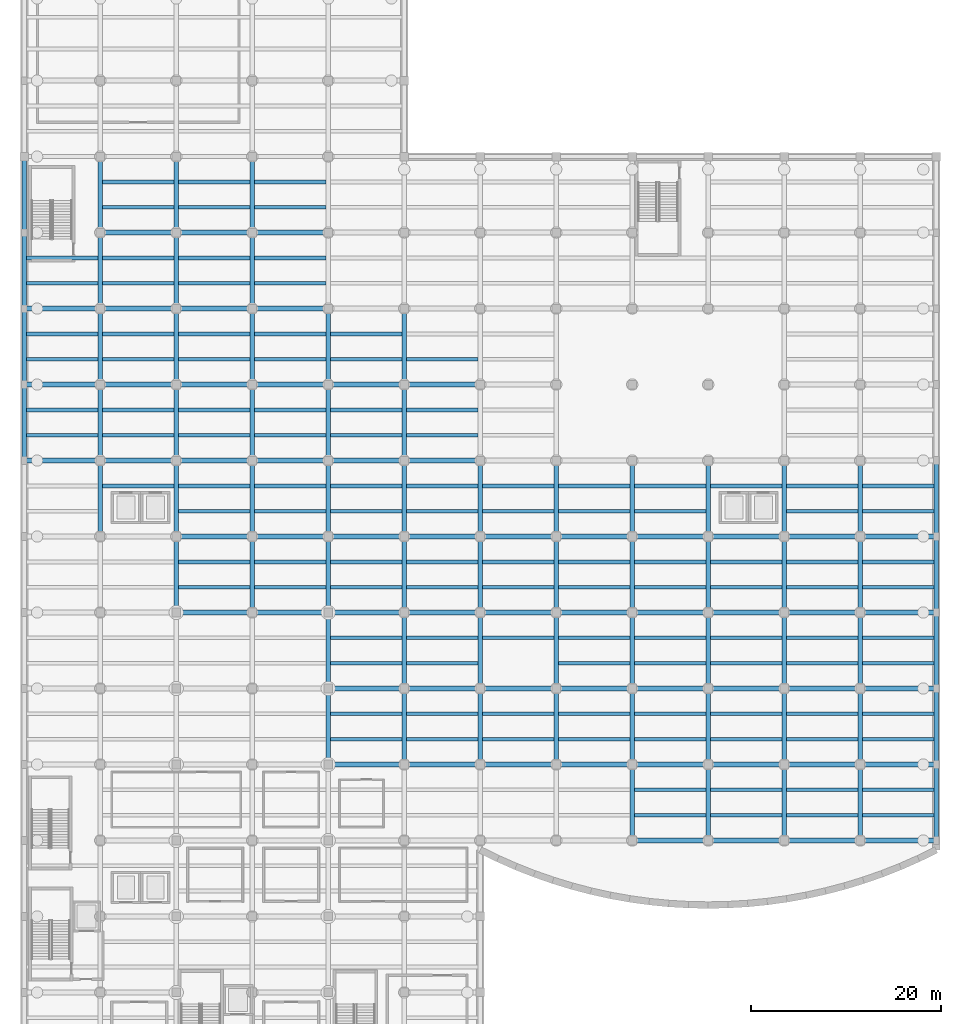
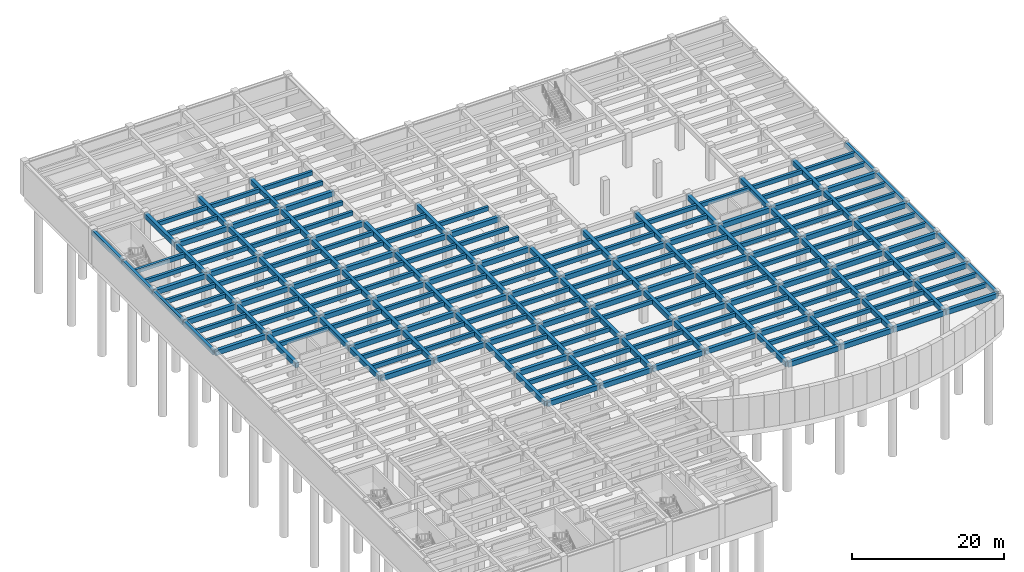
# One storey, part 3 of 18: 241 beams.
"""IFC4 building model written with IfcOpenShell, lengths in metres."""

from ifc_helpers import new_model, si_unit, direction, frame, origin, origin_2d, place, context, subcontext, project, spatial, rectangle, extrude, material, material_profile, profile_set, type_object, element, save


model = new_model("IFC4")

# Units and contexts
model_context = context("Model", 3, precision=1e-05, world=origin(), true_north=direction((0.0, 1.0)))
body_context = subcontext(model_context, "Body", "Model", "MODEL_VIEW")
ifc_project = project(units=[si_unit("LENGTHUNIT", "METRE"), si_unit("AREAUNIT", "SQUARE_METRE"), si_unit("VOLUMEUNIT", "CUBIC_METRE"), si_unit("PLANEANGLEUNIT", "RADIAN"), si_unit("MASSUNIT", "GRAM", prefix="KILO")], contexts=[model_context])

# Site, building, storey
site_placement = place(None, origin())
site = spatial("IfcSite", under=ifc_project, at=site_placement, CompositionType="ELEMENT")
building_placement = place(site_placement, origin())
building = spatial("IfcBuilding", under=site, at=building_placement, Name="Drelvath Fold Interchange", CompositionType="ELEMENT")
storey_placement = place(building_placement, frame((0.0, 0.0, -11.199951171875)))
storey = spatial("IfcBuildingStorey", under=building, at=storey_placement, Name="B2", CompositionType="ELEMENT", Elevation=-11.199951171875)

# Beams
ifc_material = material(Name="Concrete f'c 45 MPa (6500 psi)", Category="concrete")
ifc_material_profile_1 = material_profile(ifc_material, rectangle(XDim=0.39990234375, YDim=0.64990234375, at=origin_2d()), Name="RC 400x650")
ifc_profile_set_1 = profile_set([ifc_material_profile_1], Name="Concrete f'c 45 MPa (6500 psi)")
beam_type_1 = type_object("IfcBeamType", Name="BM-RC400", PredefinedType="JOIST", material=ifc_profile_set_1)
for number, where, z_axis, x_axis, name in (
    (1, (4.222900390625, 69.6669921875, 4.9150390625), (1.0, 0.0, 0.0), (0.0, 1.0, 0.0), "B2 Secondary floor joist BM-RC400"),
    (2, (4.222900390625, 72.3330078125, 4.9150390625), (1.0, 0.0, 0.0), (0.0, 1.0, 0.0), "B2 Secondary floor joist BM-RC400"),
    (3, (4.222900390625, 77.6669921875, 4.9150390625), (1.0, 0.0, 0.0), (0.0, 1.0, 0.0), "B2 Secondary floor joist BM-RC400"),
    (4, (4.222900390625, 80.3330078125, 4.9150390625), (1.0, 0.0, 0.0), (0.0, 1.0, 0.0), "B2 Secondary floor joist BM-RC400"),
    (5, (4.222900390625, 85.6669921875, 4.9150390625), (1.0, 0.0, 0.0), (0.0, 1.0, 0.0), "B2 Secondary floor joist BM-RC400"),
    (6, (4.222900390625, 88.3330078125, 4.9150390625), (1.0, 0.0, 0.0), (0.0, 1.0, 0.0), "B2 Secondary floor joist BM-RC400"),
):
    element("IfcBeam", number, at=place(storey_placement, frame(where, z_axis=z_axis, x_axis=x_axis)), inside=storey, type_object=beam_type_1, Name=name, PredefinedType="JOIST", context=body_context, shape_type="SweptSolid", body=[
        extrude(rectangle(XDim=0.39990234375, YDim=0.64990234375, at=origin_2d()), origin(), (0.0, 0.0, 1.0), 7.529052734375),
    ])
for number, where, z_axis, x_axis, name in (
    (7, (12.248046875, 64.3330078125, 4.9150390625), (1.0, 0.0, 0.0), (0.0, 1.0, 0.0), "B2 Secondary floor joist BM-RC400"),
    (8, (12.248046875, 69.6669921875, 4.9150390625), (1.0, 0.0, 0.0), (0.0, 1.0, 0.0), "B2 Secondary floor joist BM-RC400"),
    (9, (12.248046875, 72.3330078125, 4.9150390625), (1.0, 0.0, 0.0), (0.0, 1.0, 0.0), "B2 Secondary floor joist BM-RC400"),
    (10, (12.248046875, 77.6669921875, 4.9150390625), (1.0, 0.0, 0.0), (0.0, 1.0, 0.0), "B2 Secondary floor joist BM-RC400"),
    (11, (12.248046875, 80.3330078125, 4.9150390625), (1.0, 0.0, 0.0), (0.0, 1.0, 0.0), "B2 Secondary floor joist BM-RC400"),
    (12, (12.248046875, 85.6669921875, 4.9150390625), (1.0, 0.0, 0.0), (0.0, 1.0, 0.0), "B2 Secondary floor joist BM-RC400"),
    (13, (12.248046875, 88.3330078125, 4.9150390625), (1.0, 0.0, 0.0), (0.0, 1.0, 0.0), "B2 Secondary floor joist BM-RC400"),
    (14, (12.248046875, 93.6669921875, 4.9150390625), (1.0, 0.0, 0.0), (0.0, 1.0, 0.0), "B2 Secondary floor joist BM-RC400"),
    (15, (12.248046875, 96.3330078125, 4.9150390625), (1.0, 0.0, 0.0), (0.0, 1.0, 0.0), "B2 Secondary floor joist BM-RC400"),
    (16, (20.248046875, 53.6669921875, 4.9150390625), (1.0, 0.0, 0.0), (0.0, 1.0, 0.0), "B2 Secondary floor joist BM-RC400"),
    (17, (20.248046875, 56.3330078125, 4.9150390625), (1.0, 0.0, 0.0), (0.0, 1.0, 0.0), "B2 Secondary floor joist BM-RC400"),
    (18, (20.248046875, 61.6669921875, 4.9150390625), (1.0, 0.0, 0.0), (0.0, 1.0, 0.0), "B2 Secondary floor joist BM-RC400"),
    (19, (20.248046875, 64.3330078125, 4.9150390625), (1.0, 0.0, 0.0), (0.0, 1.0, 0.0), "B2 Secondary floor joist BM-RC400"),
    (20, (20.248046875, 69.6669921875, 4.9150390625), (1.0, 0.0, 0.0), (0.0, 1.0, 0.0), "B2 Secondary floor joist BM-RC400"),
    (21, (20.248046875, 72.3330078125, 4.9150390625), (1.0, 0.0, 0.0), (0.0, 1.0, 0.0), "B2 Secondary floor joist BM-RC400"),
    (22, (20.248046875, 77.6669921875, 4.9150390625), (1.0, 0.0, 0.0), (0.0, 1.0, 0.0), "B2 Secondary floor joist BM-RC400"),
    (23, (20.248046875, 80.3330078125, 4.9150390625), (1.0, 0.0, 0.0), (0.0, 1.0, 0.0), "B2 Secondary floor joist BM-RC400"),
    (24, (20.248046875, 85.6669921875, 4.9150390625), (1.0, 0.0, 0.0), (0.0, 1.0, 0.0), "B2 Secondary floor joist BM-RC400"),
    (25, (20.248046875, 88.3330078125, 4.9150390625), (1.0, 0.0, 0.0), (0.0, 1.0, 0.0), "B2 Secondary floor joist BM-RC400"),
    (26, (20.248046875, 93.6669921875, 4.9150390625), (1.0, 0.0, 0.0), (0.0, 1.0, 0.0), "B2 Secondary floor joist BM-RC400"),
    (27, (20.248046875, 96.3330078125, 4.9150390625), (1.0, 0.0, 0.0), (0.0, 1.0, 0.0), "B2 Secondary floor joist BM-RC400"),
    (28, (28.248046875, 53.6669921875, 4.9150390625), (1.0, 0.0, 0.0), (0.0, 1.0, 0.0), "B2 Secondary floor joist BM-RC400"),
    (29, (28.248046875, 56.3330078125, 4.9150390625), (1.0, 0.0, 0.0), (0.0, 1.0, 0.0), "B2 Secondary floor joist BM-RC400"),
    (30, (28.248046875, 61.6669921875, 4.9150390625), (1.0, 0.0, 0.0), (0.0, 1.0, 0.0), "B2 Secondary floor joist BM-RC400"),
    (31, (28.248046875, 64.3330078125, 4.9150390625), (1.0, 0.0, 0.0), (0.0, 1.0, 0.0), "B2 Secondary floor joist BM-RC400"),
    (32, (28.248046875, 69.6669921875, 4.9150390625), (1.0, 0.0, 0.0), (0.0, 1.0, 0.0), "B2 Secondary floor joist BM-RC400"),
    (33, (28.248046875, 72.3330078125, 4.9150390625), (1.0, 0.0, 0.0), (0.0, 1.0, 0.0), "B2 Secondary floor joist BM-RC400"),
    (34, (28.248046875, 77.6669921875, 4.9150390625), (1.0, 0.0, 0.0), (0.0, 1.0, 0.0), "B2 Secondary floor joist BM-RC400"),
    (35, (28.248046875, 80.3330078125, 4.9150390625), (1.0, 0.0, 0.0), (0.0, 1.0, 0.0), "B2 Secondary floor joist BM-RC400"),
    (36, (28.248046875, 85.6669921875, 4.9150390625), (1.0, 0.0, 0.0), (0.0, 1.0, 0.0), "B2 Secondary floor joist BM-RC400"),
    (37, (28.248046875, 88.3330078125, 4.9150390625), (1.0, 0.0, 0.0), (0.0, 1.0, 0.0), "B2 Secondary floor joist BM-RC400"),
    (38, (28.248046875, 93.6669921875, 4.9150390625), (1.0, 0.0, 0.0), (0.0, 1.0, 0.0), "B2 Secondary floor joist BM-RC400"),
    (39, (28.248046875, 96.3330078125, 4.9150390625), (1.0, 0.0, 0.0), (0.0, 1.0, 0.0), "B2 Secondary floor joist BM-RC400"),
    (40, (36.248046875, 37.6669921875, 4.9150390625), (1.0, 0.0, 0.0), (0.0, 1.0, 0.0), "B2 Secondary floor joist BM-RC400"),
    (41, (36.248046875, 40.3330078125, 4.9150390625), (1.0, 0.0, 0.0), (0.0, 1.0, 0.0), "B2 Secondary floor joist BM-RC400"),
    (42, (36.248046875, 45.6669921875, 4.9150390625), (1.0, 0.0, 0.0), (0.0, 1.0, 0.0), "B2 Secondary floor joist BM-RC400"),
    (43, (36.248046875, 48.3330078125, 4.9150390625), (1.0, 0.0, 0.0), (0.0, 1.0, 0.0), "B2 Secondary floor joist BM-RC400"),
    (44, (36.248046875, 53.6669921875, 4.9150390625), (1.0, 0.0, 0.0), (0.0, 1.0, 0.0), "B2 Secondary floor joist BM-RC400"),
    (45, (36.248046875, 56.3330078125, 4.9150390625), (1.0, 0.0, 0.0), (0.0, 1.0, 0.0), "B2 Secondary floor joist BM-RC400"),
    (46, (36.248046875, 61.6669921875, 4.9150390625), (1.0, 0.0, 0.0), (0.0, 1.0, 0.0), "B2 Secondary floor joist BM-RC400"),
    (47, (36.248046875, 64.3330078125, 4.9150390625), (1.0, 0.0, 0.0), (0.0, 1.0, 0.0), "B2 Secondary floor joist BM-RC400"),
    (48, (36.248046875, 69.6669921875, 4.9150390625), (1.0, 0.0, 0.0), (0.0, 1.0, 0.0), "B2 Secondary floor joist BM-RC400"),
    (49, (36.248046875, 72.3330078125, 4.9150390625), (1.0, 0.0, 0.0), (0.0, 1.0, 0.0), "B2 Secondary floor joist BM-RC400"),
    (50, (36.248046875, 77.6669921875, 4.9150390625), (1.0, 0.0, 0.0), (0.0, 1.0, 0.0), "B2 Secondary floor joist BM-RC400"),
    (51, (36.248046875, 80.3330078125, 4.9150390625), (1.0, 0.0, 0.0), (0.0, 1.0, 0.0), "B2 Secondary floor joist BM-RC400"),
    (52, (44.248046875, 37.6669921875, 4.9150390625), (1.0, 0.0, 0.0), (0.0, 1.0, 0.0), "B2 Secondary floor joist BM-RC400"),
    (53, (44.248046875, 40.3330078125, 4.9150390625), (1.0, 0.0, 0.0), (0.0, 1.0, 0.0), "B2 Secondary floor joist BM-RC400"),
    (54, (44.248046875, 45.6669921875, 4.9150390625), (1.0, 0.0, 0.0), (0.0, 1.0, 0.0), "B2 Secondary floor joist BM-RC400"),
    (55, (44.248046875, 48.3330078125, 4.9150390625), (1.0, 0.0, 0.0), (0.0, 1.0, 0.0), "B2 Secondary floor joist BM-RC400"),
    (56, (44.248046875, 53.6669921875, 4.9150390625), (1.0, 0.0, 0.0), (0.0, 1.0, 0.0), "B2 Secondary floor joist BM-RC400"),
    (57, (44.248046875, 56.3330078125, 4.9150390625), (1.0, 0.0, 0.0), (0.0, 1.0, 0.0), "B2 Secondary floor joist BM-RC400"),
    (58, (44.248046875, 61.6669921875, 4.9150390625), (1.0, 0.0, 0.0), (0.0, 1.0, 0.0), "B2 Secondary floor joist BM-RC400"),
    (59, (44.248046875, 64.3330078125, 4.9150390625), (1.0, 0.0, 0.0), (0.0, 1.0, 0.0), "B2 Secondary floor joist BM-RC400"),
    (60, (44.248046875, 69.6669921875, 4.9150390625), (1.0, 0.0, 0.0), (0.0, 1.0, 0.0), "B2 Secondary floor joist BM-RC400"),
    (61, (44.248046875, 72.3330078125, 4.9150390625), (1.0, 0.0, 0.0), (0.0, 1.0, 0.0), "B2 Secondary floor joist BM-RC400"),
    (62, (44.248046875, 77.6669921875, 4.9150390625), (1.0, 0.0, 0.0), (0.0, 1.0, 0.0), "B2 Secondary floor joist BM-RC400"),
    (63, (52.248046875, 37.6669921875, 4.89501953125), (1.0, 0.0, 0.0), (0.0, 1.0, 0.0), "B2 Secondary floor joist BM-RC400"),
    (64, (52.248046875, 40.3330078125, 4.89501953125), (1.0, 0.0, 0.0), (0.0, 1.0, 0.0), "B2 Secondary floor joist BM-RC400"),
    (65, (52.248046875, 48.3330078125, 4.89501953125), (1.0, 0.0, 0.0), (0.0, 1.0, 0.0), "B2 Secondary floor joist BM-RC400"),
    (66, (52.248046875, 53.6669921875, 4.89501953125), (1.0, 0.0, 0.0), (0.0, 1.0, 0.0), "B2 Secondary floor joist BM-RC400"),
    (67, (52.248046875, 56.3330078125, 4.89501953125), (1.0, 0.0, 0.0), (0.0, 1.0, 0.0), "B2 Secondary floor joist BM-RC400"),
    (68, (52.248046875, 61.6669921875, 4.9150390625), (1.0, 0.0, 0.0), (0.0, 1.0, 0.0), "B2 Secondary floor joist BM-RC400"),
    (69, (52.248046875, 64.3330078125, 4.9150390625), (1.0, 0.0, 0.0), (0.0, 1.0, 0.0), "B2 Secondary floor joist BM-RC400"),
    (70, (60.248046875, 37.6669921875, 4.89501953125), (1.0, 0.0, 0.0), (0.0, 1.0, 0.0), "B2 Secondary floor joist BM-RC400"),
    (71, (60.248046875, 40.3330078125, 4.89501953125), (1.0, 0.0, 0.0), (0.0, 1.0, 0.0), "B2 Secondary floor joist BM-RC400"),
    (72, (60.248046875, 45.6669921875, 4.89501953125), (1.0, 0.0, 0.0), (0.0, 1.0, 0.0), "B2 Secondary floor joist BM-RC400"),
    (73, (60.248046875, 48.3330078125, 4.89501953125), (1.0, 0.0, 0.0), (0.0, 1.0, 0.0), "B2 Secondary floor joist BM-RC400"),
    (74, (60.248046875, 53.6669921875, 4.89501953125), (1.0, 0.0, 0.0), (0.0, 1.0, 0.0), "B2 Secondary floor joist BM-RC400"),
    (75, (60.248046875, 56.3330078125, 4.89501953125), (1.0, 0.0, 0.0), (0.0, 1.0, 0.0), "B2 Secondary floor joist BM-RC400"),
    (76, (60.248046875, 61.6669921875, 4.9150390625), (1.0, 0.0, 0.0), (0.0, 1.0, 0.0), "B2 Secondary floor joist BM-RC400"),
    (77, (60.248046875, 64.3330078125, 4.9150390625), (1.0, 0.0, 0.0), (0.0, 1.0, 0.0), "B2 Secondary floor joist BM-RC400"),
    (78, (68.248046875, 29.6669921875, 4.89501953125), (1.0, 0.0, 0.0), (0.0, 1.0, 0.0), "B2 Secondary floor joist BM-RC400"),
    (79, (68.248046875, 32.3330078125, 4.89501953125), (1.0, 0.0, 0.0), (0.0, 1.0, 0.0), "B2 Secondary floor joist BM-RC400"),
    (80, (68.248046875, 37.6669921875, 4.89501953125), (1.0, 0.0, 0.0), (0.0, 1.0, 0.0), "B2 Secondary floor joist BM-RC400"),
    (81, (68.248046875, 40.3330078125, 4.89501953125), (1.0, 0.0, 0.0), (0.0, 1.0, 0.0), "B2 Secondary floor joist BM-RC400"),
    (82, (68.248046875, 45.6669921875, 4.89501953125), (1.0, 0.0, 0.0), (0.0, 1.0, 0.0), "B2 Secondary floor joist BM-RC400"),
    (83, (68.248046875, 48.3330078125, 4.89501953125), (1.0, 0.0, 0.0), (0.0, 1.0, 0.0), "B2 Secondary floor joist BM-RC400"),
    (84, (68.248046875, 53.6669921875, 4.89501953125), (1.0, 0.0, 0.0), (0.0, 1.0, 0.0), "B2 Secondary floor joist BM-RC400"),
    (85, (68.248046875, 56.3330078125, 4.89501953125), (1.0, 0.0, 0.0), (0.0, 1.0, 0.0), "B2 Secondary floor joist BM-RC400"),
    (86, (68.248046875, 61.6669921875, 4.9150390625), (1.0, 0.0, 0.0), (0.0, 1.0, 0.0), "B2 Secondary floor joist BM-RC400"),
    (87, (68.248046875, 64.3330078125, 4.9150390625), (1.0, 0.0, 0.0), (0.0, 1.0, 0.0), "B2 Secondary floor joist BM-RC400"),
    (88, (76.248046875, 29.6669921875, 4.89501953125), (1.0, 0.0, 0.0), (0.0, 1.0, 0.0), "B2 Secondary floor joist BM-RC400"),
    (89, (76.248046875, 32.3330078125, 4.89501953125), (1.0, 0.0, 0.0), (0.0, 1.0, 0.0), "B2 Secondary floor joist BM-RC400"),
    (90, (76.248046875, 37.6669921875, 4.89501953125), (1.0, 0.0, 0.0), (0.0, 1.0, 0.0), "B2 Secondary floor joist BM-RC400"),
    (91, (76.248046875, 40.3330078125, 4.89501953125), (1.0, 0.0, 0.0), (0.0, 1.0, 0.0), "B2 Secondary floor joist BM-RC400"),
    (92, (76.248046875, 45.6669921875, 4.89501953125), (1.0, 0.0, 0.0), (0.0, 1.0, 0.0), "B2 Secondary floor joist BM-RC400"),
    (93, (76.248046875, 48.3330078125, 4.89501953125), (1.0, 0.0, 0.0), (0.0, 1.0, 0.0), "B2 Secondary floor joist BM-RC400"),
    (94, (76.248046875, 53.6669921875, 4.89501953125), (1.0, 0.0, 0.0), (0.0, 1.0, 0.0), "B2 Secondary floor joist BM-RC400"),
    (95, (76.248046875, 56.3330078125, 4.89501953125), (1.0, 0.0, 0.0), (0.0, 1.0, 0.0), "B2 Secondary floor joist BM-RC400"),
    (96, (76.248046875, 64.3330078125, 4.9150390625), (1.0, 0.0, 0.0), (0.0, 1.0, 0.0), "B2 Secondary floor joist BM-RC400"),
    (97, (84.248046875, 29.6669921875, 4.89501953125), (1.0, 0.0, 0.0), (0.0, 1.0, 0.0), "B2 Secondary floor joist BM-RC400"),
    (98, (84.248046875, 32.3330078125, 4.89501953125), (1.0, 0.0, 0.0), (0.0, 1.0, 0.0), "B2 Secondary floor joist BM-RC400"),
    (99, (84.248046875, 37.6669921875, 4.89501953125), (1.0, 0.0, 0.0), (0.0, 1.0, 0.0), "B2 Secondary floor joist BM-RC400"),
    (100, (84.248046875, 40.3330078125, 4.89501953125), (1.0, 0.0, 0.0), (0.0, 1.0, 0.0), "B2 Secondary floor joist BM-RC400"),
    (101, (84.248046875, 45.6669921875, 4.89501953125), (1.0, 0.0, 0.0), (0.0, 1.0, 0.0), "B2 Secondary floor joist BM-RC400"),
    (102, (84.248046875, 48.3330078125, 4.89501953125), (1.0, 0.0, 0.0), (0.0, 1.0, 0.0), "B2 Secondary floor joist BM-RC400"),
    (103, (84.248046875, 53.6669921875, 4.89501953125), (1.0, 0.0, 0.0), (0.0, 1.0, 0.0), "B2 Secondary floor joist BM-RC400"),
    (104, (84.248046875, 56.3330078125, 4.89501953125), (1.0, 0.0, 0.0), (0.0, 1.0, 0.0), "B2 Secondary floor joist BM-RC400"),
    (105, (84.248046875, 61.6669921875, 4.9150390625), (1.0, 0.0, 0.0), (0.0, 1.0, 0.0), "B2 Secondary floor joist BM-RC400"),
    (106, (84.248046875, 64.3330078125, 4.9150390625), (1.0, 0.0, 0.0), (0.0, 1.0, 0.0), "B2 Secondary floor joist BM-RC400"),
):
    element("IfcBeam", number, at=place(storey_placement, frame(where, z_axis=z_axis, x_axis=x_axis)), inside=storey, type_object=beam_type_1, Name=name, PredefinedType="JOIST", context=body_context, shape_type="SweptSolid", body=[
        extrude(rectangle(XDim=0.39990234375, YDim=0.64990234375, at=origin_2d()), origin(), (0.0, 0.0, 1.0), 7.50390625),
    ])
for number, where, z_axis, x_axis, name in (
    (107, (92.248046875, 29.6669921875, 4.89501953125), (1.0, 0.0, 0.0), (0.0, 1.0, 0.0), "B2 Secondary floor joist BM-RC400"),
    (108, (92.248046875, 32.3330078125, 4.89501953125), (1.0, 0.0, 0.0), (0.0, 1.0, 0.0), "B2 Secondary floor joist BM-RC400"),
    (109, (92.248046875, 37.6669921875, 4.89501953125), (1.0, 0.0, 0.0), (0.0, 1.0, 0.0), "B2 Secondary floor joist BM-RC400"),
    (110, (92.248046875, 40.3330078125, 4.89501953125), (1.0, 0.0, 0.0), (0.0, 1.0, 0.0), "B2 Secondary floor joist BM-RC400"),
    (111, (92.248046875, 45.6669921875, 4.89501953125), (1.0, 0.0, 0.0), (0.0, 1.0, 0.0), "B2 Secondary floor joist BM-RC400"),
    (112, (92.248046875, 48.3330078125, 4.89501953125), (1.0, 0.0, 0.0), (0.0, 1.0, 0.0), "B2 Secondary floor joist BM-RC400"),
    (113, (92.248046875, 53.6669921875, 4.89501953125), (1.0, 0.0, 0.0), (0.0, 1.0, 0.0), "B2 Secondary floor joist BM-RC400"),
    (114, (92.248046875, 56.3330078125, 4.89501953125), (1.0, 0.0, 0.0), (0.0, 1.0, 0.0), "B2 Secondary floor joist BM-RC400"),
    (115, (92.248046875, 61.6669921875, 4.9150390625), (1.0, 0.0, 0.0), (0.0, 1.0, 0.0), "B2 Secondary floor joist BM-RC400"),
    (116, (92.248046875, 64.3330078125, 4.9150390625), (1.0, 0.0, 0.0), (0.0, 1.0, 0.0), "B2 Secondary floor joist BM-RC400"),
):
    element("IfcBeam", number, at=place(storey_placement, frame(where, z_axis=z_axis, x_axis=x_axis)), inside=storey, type_object=beam_type_1, Name=name, PredefinedType="JOIST", context=body_context, shape_type="SweptSolid", body=[
        extrude(rectangle(XDim=0.39990234375, YDim=0.64990234375, at=origin_2d()), origin(), (0.0, 0.0, 1.0), 7.529052734375),
    ])
ifc_material_profile_2 = material_profile(ifc_material, rectangle(XDim=0.449951171875, YDim=0.75, at=origin_2d()), Name="RC 450x750")
ifc_profile_set_2 = profile_set([ifc_material_profile_2], Name="Concrete f'c 45 MPa (6500 psi)")
beam_type_2 = type_object("IfcBeamType", Name="BM-RC450", PredefinedType="SPANDREL", material=ifc_profile_set_2)
for number, where, z_axis, x_axis, name in (
    (117, (4.0, 67.06005859375, 4.864990234375), (0.0, 1.0, 0.0), (-1.0, 0.0, 0.0), "B2 Primary Y girder BM-RC450"),
    (118, (4.0, 75.06005859375, 4.864990234375), (0.0, 1.0, 0.0), (-1.0, 0.0, 0.0), "B2 Primary Y girder BM-RC450"),
    (119, (4.0, 83.06005859375, 4.864990234375), (0.0, 1.0, 0.0), (-1.0, 0.0, 0.0), "B2 Primary Y girder BM-RC450"),
    (120, (4.0, 91.06005859375, 4.864990234375), (0.0, 1.0, 0.0), (-1.0, 0.0, 0.0), "B2 Primary Y girder BM-RC450"),
    (121, (100.0, 27.06005859375, 4.844970703125), (0.0, 1.0, 0.0), (-1.0, 0.0, 0.0), "B2 Primary Y girder BM-RC450"),
    (122, (100.0, 35.06005859375, 4.844970703125), (0.0, 1.0, 0.0), (-1.0, 0.0, 0.0), "B2 Primary Y girder BM-RC450"),
    (123, (100.0, 43.06005859375, 4.844970703125), (0.0, 1.0, 0.0), (-1.0, 0.0, 0.0), "B2 Primary Y girder BM-RC450"),
    (124, (100.0, 51.06005859375, 4.844970703125), (0.0, 1.0, 0.0), (-1.0, 0.0, 0.0), "B2 Primary Y girder BM-RC450"),
    (125, (100.0, 59.06005859375, 4.844970703125), (0.0, 1.0, 0.0), (-1.0, 0.0, 0.0), "B2 Primary Y girder BM-RC450"),
):
    element("IfcBeam", number, at=place(storey_placement, frame(where, z_axis=z_axis, x_axis=x_axis)), inside=storey, type_object=beam_type_2, Name=name, PredefinedType="SPANDREL", context=body_context, shape_type="SweptSolid", body=[
        extrude(rectangle(XDim=0.449951171875, YDim=0.75, at=origin_2d()), origin(), (0.0, 0.0, 1.0), 7.8798828125),
    ])
ifc_material_profile_3 = material_profile(ifc_material, rectangle(XDim=0.5, YDim=0.800048828125, at=origin_2d()), Name="RC 500x800")
ifc_profile_set_3 = profile_set([ifc_material_profile_3], Name="Concrete f'c 45 MPa (6500 psi)")
beam_type_3 = type_object("IfcBeamType", Name="BM-RC500", PredefinedType="BEAM", material=ifc_profile_set_3)
for number, where, z_axis, x_axis, name in (
    (126, (68.06005859375, 27.0, 4.820068359375), (1.0, 0.0, 0.0), (0.0, 1.0, 0.0), "B2 Primary X girder BM-RC500"),
    (127, (76.06005859375, 27.0, 4.820068359375), (1.0, 0.0, 0.0), (0.0, 1.0, 0.0), "B2 Primary X girder BM-RC500"),
    (128, (84.06005859375, 27.0, 4.820068359375), (1.0, 0.0, 0.0), (0.0, 1.0, 0.0), "B2 Primary X girder BM-RC500"),
    (129, (92.06005859375, 27.0, 4.820068359375), (1.0, 0.0, 0.0), (0.0, 1.0, 0.0), "B2 Primary X girder BM-RC500"),
    (130, (36.06005859375, 35.0, 4.83984375), (1.0, 0.0, 0.0), (0.0, 1.0, 0.0), "B2 Primary X girder BM-RC500"),
    (131, (44.06005859375, 35.0, 4.820068359375), (1.0, 0.0, 0.0), (0.0, 1.0, 0.0), "B2 Primary X girder BM-RC500"),
    (132, (52.06005859375, 35.0, 4.820068359375), (1.0, 0.0, 0.0), (0.0, 1.0, 0.0), "B2 Primary X girder BM-RC500"),
    (133, (60.06005859375, 35.0, 4.820068359375), (1.0, 0.0, 0.0), (0.0, 1.0, 0.0), "B2 Primary X girder BM-RC500"),
    (134, (68.06005859375, 35.0, 4.820068359375), (1.0, 0.0, 0.0), (0.0, 1.0, 0.0), "B2 Primary X girder BM-RC500"),
    (135, (76.06005859375, 35.0, 4.820068359375), (1.0, 0.0, 0.0), (0.0, 1.0, 0.0), "B2 Primary X girder BM-RC500"),
    (136, (84.06005859375, 35.0, 4.820068359375), (1.0, 0.0, 0.0), (0.0, 1.0, 0.0), "B2 Primary X girder BM-RC500"),
    (137, (92.06005859375, 35.0, 4.820068359375), (1.0, 0.0, 0.0), (0.0, 1.0, 0.0), "B2 Primary X girder BM-RC500"),
    (138, (36.06005859375, 43.0, 4.83984375), (1.0, 0.0, 0.0), (0.0, 1.0, 0.0), "B2 Primary X girder BM-RC500"),
    (139, (44.06005859375, 43.0, 4.820068359375), (1.0, 0.0, 0.0), (0.0, 1.0, 0.0), "B2 Primary X girder BM-RC500"),
    (140, (52.06005859375, 43.0, 4.820068359375), (1.0, 0.0, 0.0), (0.0, 1.0, 0.0), "B2 Primary X girder BM-RC500"),
    (141, (60.06005859375, 43.0, 4.820068359375), (1.0, 0.0, 0.0), (0.0, 1.0, 0.0), "B2 Primary X girder BM-RC500"),
    (142, (68.06005859375, 43.0, 4.820068359375), (1.0, 0.0, 0.0), (0.0, 1.0, 0.0), "B2 Primary X girder BM-RC500"),
    (143, (76.06005859375, 43.0, 4.820068359375), (1.0, 0.0, 0.0), (0.0, 1.0, 0.0), "B2 Primary X girder BM-RC500"),
    (144, (84.06005859375, 43.0, 4.820068359375), (1.0, 0.0, 0.0), (0.0, 1.0, 0.0), "B2 Primary X girder BM-RC500"),
    (145, (92.06005859375, 43.0, 4.820068359375), (1.0, 0.0, 0.0), (0.0, 1.0, 0.0), "B2 Primary X girder BM-RC500"),
    (146, (20.06005859375, 51.0, 4.83984375), (1.0, 0.0, 0.0), (0.0, 1.0, 0.0), "B2 Primary X girder BM-RC500"),
    (147, (28.06005859375, 51.0, 4.83984375), (1.0, 0.0, 0.0), (0.0, 1.0, 0.0), "B2 Primary X girder BM-RC500"),
    (148, (36.06005859375, 51.0, 4.83984375), (1.0, 0.0, 0.0), (0.0, 1.0, 0.0), "B2 Primary X girder BM-RC500"),
    (149, (44.06005859375, 51.0, 4.820068359375), (1.0, 0.0, 0.0), (0.0, 1.0, 0.0), "B2 Primary X girder BM-RC500"),
    (150, (52.06005859375, 51.0, 4.820068359375), (1.0, 0.0, 0.0), (0.0, 1.0, 0.0), "B2 Primary X girder BM-RC500"),
    (151, (60.06005859375, 51.0, 4.820068359375), (1.0, 0.0, 0.0), (0.0, 1.0, 0.0), "B2 Primary X girder BM-RC500"),
    (152, (68.06005859375, 51.0, 4.820068359375), (1.0, 0.0, 0.0), (0.0, 1.0, 0.0), "B2 Primary X girder BM-RC500"),
    (153, (76.06005859375, 51.0, 4.820068359375), (1.0, 0.0, 0.0), (0.0, 1.0, 0.0), "B2 Primary X girder BM-RC500"),
    (154, (84.06005859375, 51.0, 4.820068359375), (1.0, 0.0, 0.0), (0.0, 1.0, 0.0), "B2 Primary X girder BM-RC500"),
    (155, (92.06005859375, 51.0, 4.820068359375), (1.0, 0.0, 0.0), (0.0, 1.0, 0.0), "B2 Primary X girder BM-RC500"),
    (156, (20.06005859375, 59.0, 4.83984375), (1.0, 0.0, 0.0), (0.0, 1.0, 0.0), "B2 Primary X girder BM-RC500"),
    (157, (28.06005859375, 59.0, 4.83984375), (1.0, 0.0, 0.0), (0.0, 1.0, 0.0), "B2 Primary X girder BM-RC500"),
    (158, (36.06005859375, 59.0, 4.83984375), (1.0, 0.0, 0.0), (0.0, 1.0, 0.0), "B2 Primary X girder BM-RC500"),
    (159, (44.06005859375, 59.0, 4.820068359375), (1.0, 0.0, 0.0), (0.0, 1.0, 0.0), "B2 Primary X girder BM-RC500"),
    (160, (52.06005859375, 59.0, 4.820068359375), (1.0, 0.0, 0.0), (0.0, 1.0, 0.0), "B2 Primary X girder BM-RC500"),
    (161, (60.06005859375, 59.0, 4.820068359375), (1.0, 0.0, 0.0), (0.0, 1.0, 0.0), "B2 Primary X girder BM-RC500"),
    (162, (68.06005859375, 59.0, 4.820068359375), (1.0, 0.0, 0.0), (0.0, 1.0, 0.0), "B2 Primary X girder BM-RC500"),
    (163, (76.06005859375, 59.0, 4.820068359375), (1.0, 0.0, 0.0), (0.0, 1.0, 0.0), "B2 Primary X girder BM-RC500"),
    (164, (84.06005859375, 59.0, 4.820068359375), (1.0, 0.0, 0.0), (0.0, 1.0, 0.0), "B2 Primary X girder BM-RC500"),
    (165, (92.06005859375, 59.0, 4.820068359375), (1.0, 0.0, 0.0), (0.0, 1.0, 0.0), "B2 Primary X girder BM-RC500"),
    (166, (4.06005859375, 67.0, 4.83984375), (1.0, 0.0, 0.0), (0.0, 1.0, 0.0), "B2 Primary X girder BM-RC500"),
    (167, (12.06005859375, 67.0, 4.83984375), (1.0, 0.0, 0.0), (0.0, 1.0, 0.0), "B2 Primary X girder BM-RC500"),
    (168, (20.06005859375, 67.0, 4.83984375), (1.0, 0.0, 0.0), (0.0, 1.0, 0.0), "B2 Primary X girder BM-RC500"),
    (169, (28.06005859375, 67.0, 4.83984375), (1.0, 0.0, 0.0), (0.0, 1.0, 0.0), "B2 Primary X girder BM-RC500"),
    (170, (36.06005859375, 67.0, 4.83984375), (1.0, 0.0, 0.0), (0.0, 1.0, 0.0), "B2 Primary X girder BM-RC500"),
    (171, (44.06005859375, 67.0, 4.83984375), (1.0, 0.0, 0.0), (0.0, 1.0, 0.0), "B2 Primary X girder BM-RC500"),
    (172, (4.06005859375, 75.0, 4.83984375), (1.0, 0.0, 0.0), (0.0, 1.0, 0.0), "B2 Primary X girder BM-RC500"),
    (173, (12.06005859375, 75.0, 4.83984375), (1.0, 0.0, 0.0), (0.0, 1.0, 0.0), "B2 Primary X girder BM-RC500"),
    (174, (20.06005859375, 75.0, 4.83984375), (1.0, 0.0, 0.0), (0.0, 1.0, 0.0), "B2 Primary X girder BM-RC500"),
    (175, (28.06005859375, 75.0, 4.83984375), (1.0, 0.0, 0.0), (0.0, 1.0, 0.0), "B2 Primary X girder BM-RC500"),
    (176, (36.06005859375, 75.0, 4.83984375), (1.0, 0.0, 0.0), (0.0, 1.0, 0.0), "B2 Primary X girder BM-RC500"),
    (177, (44.06005859375, 75.0, 4.83984375), (1.0, 0.0, 0.0), (0.0, 1.0, 0.0), "B2 Primary X girder BM-RC500"),
    (178, (4.06005859375, 83.0, 4.83984375), (1.0, 0.0, 0.0), (0.0, 1.0, 0.0), "B2 Primary X girder BM-RC500"),
    (179, (12.06005859375, 83.0, 4.83984375), (1.0, 0.0, 0.0), (0.0, 1.0, 0.0), "B2 Primary X girder BM-RC500"),
    (180, (20.06005859375, 83.0, 4.83984375), (1.0, 0.0, 0.0), (0.0, 1.0, 0.0), "B2 Primary X girder BM-RC500"),
    (181, (28.06005859375, 83.0, 4.83984375), (1.0, 0.0, 0.0), (0.0, 1.0, 0.0), "B2 Primary X girder BM-RC500"),
    (182, (12.06005859375, 91.0, 4.83984375), (1.0, 0.0, 0.0), (0.0, 1.0, 0.0), "B2 Primary X girder BM-RC500"),
    (183, (20.06005859375, 91.0, 4.83984375), (1.0, 0.0, 0.0), (0.0, 1.0, 0.0), "B2 Primary X girder BM-RC500"),
    (184, (28.06005859375, 91.0, 4.83984375), (1.0, 0.0, 0.0), (0.0, 1.0, 0.0), "B2 Primary X girder BM-RC500"),
    (185, (12.0, 59.06005859375, 4.83984375), (0.0, 1.0, 0.0), (-1.0, 0.0, 0.0), "B2 Primary Y girder BM-RC500"),
    (186, (12.0, 67.06005859375, 4.83984375), (0.0, 1.0, 0.0), (-1.0, 0.0, 0.0), "B2 Primary Y girder BM-RC500"),
    (187, (12.0, 75.06005859375, 4.83984375), (0.0, 1.0, 0.0), (-1.0, 0.0, 0.0), "B2 Primary Y girder BM-RC500"),
    (188, (12.0, 83.06005859375, 4.83984375), (0.0, 1.0, 0.0), (-1.0, 0.0, 0.0), "B2 Primary Y girder BM-RC500"),
    (189, (12.0, 91.06005859375, 4.83984375), (0.0, 1.0, 0.0), (-1.0, 0.0, 0.0), "B2 Primary Y girder BM-RC500"),
    (190, (20.0, 51.06005859375, 4.83984375), (0.0, 1.0, 0.0), (-1.0, 0.0, 0.0), "B2 Primary Y girder BM-RC500"),
    (191, (20.0, 59.06005859375, 4.83984375), (0.0, 1.0, 0.0), (-1.0, 0.0, 0.0), "B2 Primary Y girder BM-RC500"),
    (192, (20.0, 67.06005859375, 4.83984375), (0.0, 1.0, 0.0), (-1.0, 0.0, 0.0), "B2 Primary Y girder BM-RC500"),
    (193, (20.0, 75.06005859375, 4.83984375), (0.0, 1.0, 0.0), (-1.0, 0.0, 0.0), "B2 Primary Y girder BM-RC500"),
    (194, (20.0, 83.06005859375, 4.83984375), (0.0, 1.0, 0.0), (-1.0, 0.0, 0.0), "B2 Primary Y girder BM-RC500"),
    (195, (20.0, 91.06005859375, 4.83984375), (0.0, 1.0, 0.0), (-1.0, 0.0, 0.0), "B2 Primary Y girder BM-RC500"),
    (196, (28.0, 51.06005859375, 4.83984375), (0.0, 1.0, 0.0), (-1.0, 0.0, 0.0), "B2 Primary Y girder BM-RC500"),
    (197, (28.0, 59.06005859375, 4.83984375), (0.0, 1.0, 0.0), (-1.0, 0.0, 0.0), "B2 Primary Y girder BM-RC500"),
    (198, (28.0, 67.06005859375, 4.83984375), (0.0, 1.0, 0.0), (-1.0, 0.0, 0.0), "B2 Primary Y girder BM-RC500"),
    (199, (28.0, 75.06005859375, 4.83984375), (0.0, 1.0, 0.0), (-1.0, 0.0, 0.0), "B2 Primary Y girder BM-RC500"),
    (200, (28.0, 83.06005859375, 4.83984375), (0.0, 1.0, 0.0), (-1.0, 0.0, 0.0), "B2 Primary Y girder BM-RC500"),
    (201, (28.0, 91.06005859375, 4.83984375), (0.0, 1.0, 0.0), (-1.0, 0.0, 0.0), "B2 Primary Y girder BM-RC500"),
    (202, (36.0, 35.06005859375, 4.83984375), (0.0, 1.0, 0.0), (-1.0, 0.0, 0.0), "B2 Primary Y girder BM-RC500"),
    (203, (36.0, 43.06005859375, 4.83984375), (0.0, 1.0, 0.0), (-1.0, 0.0, 0.0), "B2 Primary Y girder BM-RC500"),
    (204, (36.0, 51.06005859375, 4.83984375), (0.0, 1.0, 0.0), (-1.0, 0.0, 0.0), "B2 Primary Y girder BM-RC500"),
    (205, (36.0, 59.06005859375, 4.83984375), (0.0, 1.0, 0.0), (-1.0, 0.0, 0.0), "B2 Primary Y girder BM-RC500"),
    (206, (36.0, 67.06005859375, 4.83984375), (0.0, 1.0, 0.0), (-1.0, 0.0, 0.0), "B2 Primary Y girder BM-RC500"),
    (207, (36.0, 75.06005859375, 4.83984375), (0.0, 1.0, 0.0), (-1.0, 0.0, 0.0), "B2 Primary Y girder BM-RC500"),
    (208, (44.0, 35.06005859375, 4.83984375), (0.0, 1.0, 0.0), (-1.0, 0.0, 0.0), "B2 Primary Y girder BM-RC500"),
    (209, (44.0, 43.06005859375, 4.83984375), (0.0, 1.0, 0.0), (-1.0, 0.0, 0.0), "B2 Primary Y girder BM-RC500"),
    (210, (44.0, 51.06005859375, 4.83984375), (0.0, 1.0, 0.0), (-1.0, 0.0, 0.0), "B2 Primary Y girder BM-RC500"),
    (211, (44.0, 59.06005859375, 4.83984375), (0.0, 1.0, 0.0), (-1.0, 0.0, 0.0), "B2 Primary Y girder BM-RC500"),
    (212, (44.0, 67.06005859375, 4.83984375), (0.0, 1.0, 0.0), (-1.0, 0.0, 0.0), "B2 Primary Y girder BM-RC500"),
    (213, (44.0, 75.06005859375, 4.83984375), (0.0, 1.0, 0.0), (-1.0, 0.0, 0.0), "B2 Primary Y girder BM-RC500"),
    (214, (52.0, 35.06005859375, 4.820068359375), (0.0, 1.0, 0.0), (-1.0, 0.0, 0.0), "B2 Primary Y girder BM-RC500"),
    (215, (52.0, 43.06005859375, 4.820068359375), (0.0, 1.0, 0.0), (-1.0, 0.0, 0.0), "B2 Primary Y girder BM-RC500"),
    (216, (52.0, 51.06005859375, 4.820068359375), (0.0, 1.0, 0.0), (-1.0, 0.0, 0.0), "B2 Primary Y girder BM-RC500"),
    (217, (52.0, 59.06005859375, 4.820068359375), (0.0, 1.0, 0.0), (-1.0, 0.0, 0.0), "B2 Primary Y girder BM-RC500"),
    (218, (60.0, 35.06005859375, 4.820068359375), (0.0, 1.0, 0.0), (-1.0, 0.0, 0.0), "B2 Primary Y girder BM-RC500"),
    (219, (60.0, 43.06005859375, 4.820068359375), (0.0, 1.0, 0.0), (-1.0, 0.0, 0.0), "B2 Primary Y girder BM-RC500"),
    (220, (60.0, 51.06005859375, 4.820068359375), (0.0, 1.0, 0.0), (-1.0, 0.0, 0.0), "B2 Primary Y girder BM-RC500"),
    (221, (60.0, 59.06005859375, 4.820068359375), (0.0, 1.0, 0.0), (-1.0, 0.0, 0.0), "B2 Primary Y girder BM-RC500"),
    (222, (68.0, 27.06005859375, 4.820068359375), (0.0, 1.0, 0.0), (-1.0, 0.0, 0.0), "B2 Primary Y girder BM-RC500"),
    (223, (68.0, 35.06005859375, 4.820068359375), (0.0, 1.0, 0.0), (-1.0, 0.0, 0.0), "B2 Primary Y girder BM-RC500"),
    (224, (68.0, 43.06005859375, 4.820068359375), (0.0, 1.0, 0.0), (-1.0, 0.0, 0.0), "B2 Primary Y girder BM-RC500"),
    (225, (68.0, 51.06005859375, 4.820068359375), (0.0, 1.0, 0.0), (-1.0, 0.0, 0.0), "B2 Primary Y girder BM-RC500"),
    (226, (68.0, 59.06005859375, 4.820068359375), (0.0, 1.0, 0.0), (-1.0, 0.0, 0.0), "B2 Primary Y girder BM-RC500"),
    (227, (76.0, 27.06005859375, 4.820068359375), (0.0, 1.0, 0.0), (-1.0, 0.0, 0.0), "B2 Primary Y girder BM-RC500"),
    (228, (76.0, 35.06005859375, 4.820068359375), (0.0, 1.0, 0.0), (-1.0, 0.0, 0.0), "B2 Primary Y girder BM-RC500"),
    (229, (76.0, 43.06005859375, 4.820068359375), (0.0, 1.0, 0.0), (-1.0, 0.0, 0.0), "B2 Primary Y girder BM-RC500"),
    (230, (76.0, 51.06005859375, 4.820068359375), (0.0, 1.0, 0.0), (-1.0, 0.0, 0.0), "B2 Primary Y girder BM-RC500"),
    (231, (76.0, 59.06005859375, 4.820068359375), (0.0, 1.0, 0.0), (-1.0, 0.0, 0.0), "B2 Primary Y girder BM-RC500"),
    (232, (84.0, 27.06005859375, 4.820068359375), (0.0, 1.0, 0.0), (-1.0, 0.0, 0.0), "B2 Primary Y girder BM-RC500"),
    (233, (84.0, 35.06005859375, 4.820068359375), (0.0, 1.0, 0.0), (-1.0, 0.0, 0.0), "B2 Primary Y girder BM-RC500"),
    (234, (84.0, 43.06005859375, 4.820068359375), (0.0, 1.0, 0.0), (-1.0, 0.0, 0.0), "B2 Primary Y girder BM-RC500"),
    (235, (84.0, 51.06005859375, 4.820068359375), (0.0, 1.0, 0.0), (-1.0, 0.0, 0.0), "B2 Primary Y girder BM-RC500"),
    (236, (84.0, 59.06005859375, 4.820068359375), (0.0, 1.0, 0.0), (-1.0, 0.0, 0.0), "B2 Primary Y girder BM-RC500"),
    (237, (92.0, 27.06005859375, 4.820068359375), (0.0, 1.0, 0.0), (-1.0, 0.0, 0.0), "B2 Primary Y girder BM-RC500"),
    (238, (92.0, 35.06005859375, 4.820068359375), (0.0, 1.0, 0.0), (-1.0, 0.0, 0.0), "B2 Primary Y girder BM-RC500"),
    (239, (92.0, 43.06005859375, 4.820068359375), (0.0, 1.0, 0.0), (-1.0, 0.0, 0.0), "B2 Primary Y girder BM-RC500"),
    (240, (92.0, 51.06005859375, 4.820068359375), (0.0, 1.0, 0.0), (-1.0, 0.0, 0.0), "B2 Primary Y girder BM-RC500"),
    (241, (92.0, 59.06005859375, 4.820068359375), (0.0, 1.0, 0.0), (-1.0, 0.0, 0.0), "B2 Primary Y girder BM-RC500"),
):
    element("IfcBeam", number, at=place(storey_placement, frame(where, z_axis=z_axis, x_axis=x_axis)), inside=storey, type_object=beam_type_3, Name=name, PredefinedType="BEAM", context=body_context, shape_type="SweptSolid", body=[
        extrude(rectangle(XDim=0.5, YDim=0.800048828125, at=origin_2d()), origin(), (0.0, 0.0, 1.0), 7.8798828125),
    ])

save(model, "model.ifc")
